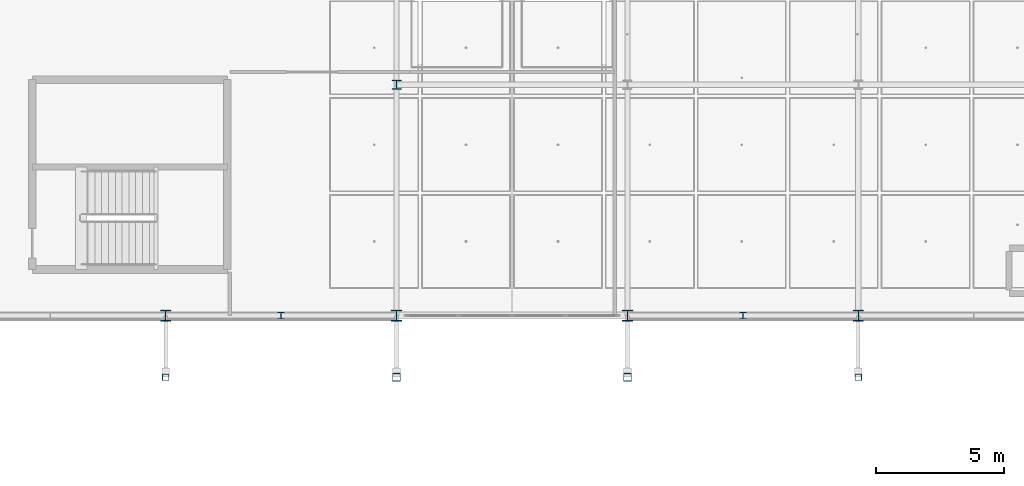
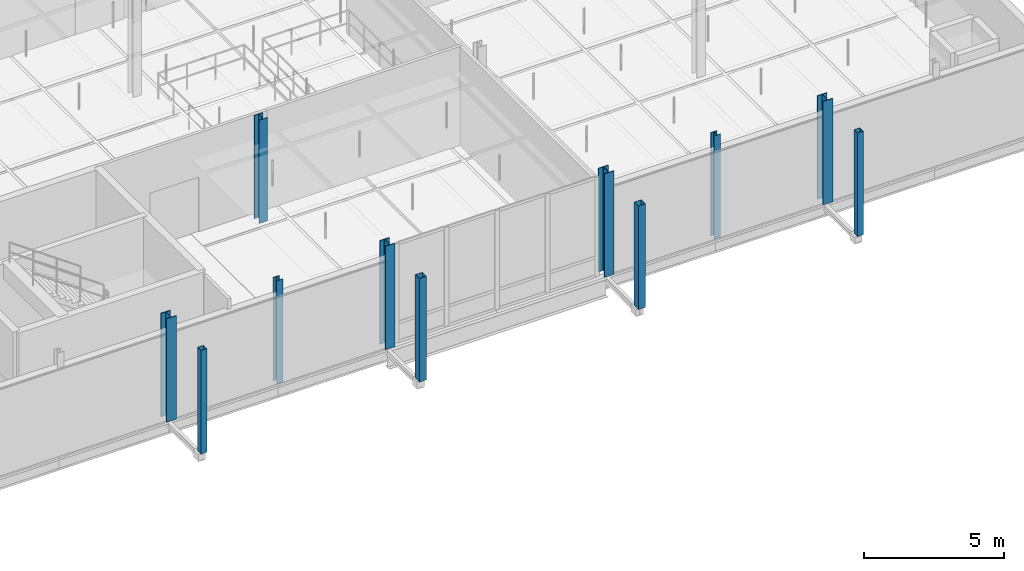
# One storey, part 6 of 130: 11 columns.
"""IFC4 building model written with IfcOpenShell, lengths in metres."""

from ifc_helpers import new_model, si_unit, direction, frame, origin, origin_2d, place, context, subcontext, project, spatial, hollow_rectangle, i_section, extrude, material, material_profile, profile_set, type_object, element, save


model = new_model("IFC4")

# Units and contexts
model_context = context("Model", 3, precision=1e-05, world=origin(), true_north=direction((0.0, 1.0)))
body_context = subcontext(model_context, "Body", "Model", "MODEL_VIEW")
ifc_project = project(units=[si_unit("LENGTHUNIT", "METRE"), si_unit("AREAUNIT", "SQUARE_METRE"), si_unit("VOLUMEUNIT", "CUBIC_METRE"), si_unit("PLANEANGLEUNIT", "RADIAN"), si_unit("MASSUNIT", "GRAM", prefix="KILO"), si_unit("THERMODYNAMICTEMPERATUREUNIT", "KELVIN"), si_unit("POWERUNIT", "WATT")], contexts=[model_context])

# Site, building, storey
site_placement = place(None, origin())
site = spatial("IfcSite", under=ifc_project, at=site_placement, CompositionType="ELEMENT")
building_placement = place(site_placement, origin())
building = spatial("IfcBuilding", under=site, at=building_placement, Name="Tallowbark Science Centre", CompositionType="ELEMENT")
storey_placement = place(building_placement, frame((0.0, 0.0, 5.39990234375)))
storey = spatial("IfcBuildingStorey", under=building, at=storey_placement, Name="L01", CompositionType="ELEMENT", Elevation=5.39990234375)

# Columns
ifc_material_1 = material(Name="White Architectural Painted Steel Grade C350L0 (350 MPa)", Category="steel")
ifc_material_profile_1 = material_profile(ifc_material_1, hollow_rectangle(XDim=0.25, YDim=0.25, WallThickness=0.009033203125, at=origin_2d()), Name="250x250x9.0SHS")
ifc_profile_set_1 = profile_set([ifc_material_profile_1], Name="White Architectural Painted Steel Grade C350L0 (350 MPa)")
column_type_1 = type_object("IfcColumnType", Name="COL-SCR200", PredefinedType="COLUMN", material=ifc_profile_set_1)
for number, where, z_axis, x_axis, name in (
    (1, (67.5, 2.10009765625, 0.0), (0.0, 0.0, 1.0), (1.0, 0.0, 0.0), "Column SCR-S02 L01"),
    (2, (94.5, 2.10009765625, 0.0), (0.0, 0.0, 1.0), (1.0, 0.0, 0.0), "Column SCR-S05 L01"),
):
    element("IfcColumn", number, at=place(storey_placement, frame(where, z_axis=z_axis, x_axis=x_axis)), inside=storey, type_object=column_type_1, Name=name, PredefinedType="COLUMN", context=body_context, shape_type="SweptSolid", body=[
        extrude(hollow_rectangle(XDim=0.25, YDim=0.25, WallThickness=0.009033203125, at=origin_2d()), origin(), (0.0, 0.0, 1.0), 4.5),
    ])
ifc_material_profile_2 = material_profile(ifc_material_1, hollow_rectangle(XDim=0.300048828125, YDim=0.300048828125, WallThickness=0.010009765625, at=origin_2d()), Name="300x300x10.0SHS")
ifc_profile_set_2 = profile_set([ifc_material_profile_2], Name="White Architectural Painted Steel Grade C350L0 (350 MPa)")
column_type_2 = type_object("IfcColumnType", Name="COL-SCR300", PredefinedType="COLUMN", material=ifc_profile_set_2)
for number, where, z_axis, x_axis, name in (
    (3, (76.5, 2.10009765625, 0.0), (0.0, 0.0, 1.0), (1.0, 0.0, 0.0), "Column SCR-S03 L01"),
    (4, (85.5, 2.10009765625, 0.0), (0.0, 0.0, 1.0), (1.0, 0.0, 0.0), "Column SCR-S04 L01"),
):
    element("IfcColumn", number, at=place(storey_placement, frame(where, z_axis=z_axis, x_axis=x_axis)), inside=storey, type_object=column_type_2, Name=name, PredefinedType="COLUMN", context=body_context, shape_type="SweptSolid", body=[
        extrude(hollow_rectangle(XDim=0.300048828125, YDim=0.300048828125, WallThickness=0.010009765625, at=origin_2d()), origin(), (0.0, 0.0, 1.0), 4.5),
    ])
ifc_material_2 = material(Name="Structural Steel Grade 300PLUS (300 MPa)", Category="steel")
ifc_material_profile_3 = material_profile(ifc_material_2, i_section(OverallWidth=0.35009765625, OverallDepth=0.35888671875, WebThickness=0.01611328125, FlangeThickness=0.02392578125, FilletRadius=0.013916015625, at=origin_2d()), Name="350WC197")
ifc_profile_set_3 = profile_set([ifc_material_profile_3], Name="Structural Steel Grade 300PLUS (300 MPa)")
column_type_3 = type_object("IfcColumnType", Name="COL-WC350", PredefinedType="COLUMN", material=ifc_profile_set_3)
column_placement = place(storey_placement, frame((76.5, 13.5, 0.0), z_axis=(0.0, 0.0, 1.0), x_axis=(1.0, 0.0, 0.0)))
element("IfcColumn", 5, at=column_placement, inside=storey, type_object=column_type_3, Name="Column CUB-M2_1 L01", PredefinedType="COLUMN", context=body_context, shape_type="SweptSolid", body=[
    extrude(i_section(OverallWidth=0.35009765625, OverallDepth=0.35888671875, WebThickness=0.01611328125, FlangeThickness=0.02392578125, FilletRadius=0.013916015625, at=origin_2d()), origin(), (0.0, 0.0, 1.0), 4.5),
])
ifc_material_profile_4 = material_profile(ifc_material_2, i_section(OverallWidth=0.39990234375, OverallDepth=0.427978515625, WebThickness=0.02001953125, FlangeThickness=0.028076171875, FilletRadius=0.01611328125, at=origin_2d()), Name="400WC270")
ifc_profile_set_4 = profile_set([ifc_material_profile_4], Name="Structural Steel Grade 300PLUS (300 MPa)")
column_type_4 = type_object("IfcColumnType", Name="COL-WC400", PredefinedType="COLUMN", material=ifc_profile_set_4)
for number, where, z_axis, x_axis, name in (
    (6, (67.5, 4.5, 0.0), (0.0, 0.0, 1.0), (1.0, 0.0, 0.0), "Column CUB-M1_0 L01"),
    (7, (76.5, 4.5, 0.0), (0.0, 0.0, 1.0), (1.0, 0.0, 0.0), "Column CUB-M2_0 L01"),
    (8, (85.5, 4.5, 0.0), (0.0, 0.0, 1.0), (1.0, 0.0, 0.0), "Column CUB-M3_0 L01"),
    (9, (94.5, 4.5, 0.0), (0.0, 0.0, 1.0), (1.0, 0.0, 0.0), "Column CUB-M4_0 L01"),
):
    element("IfcColumn", number, at=place(storey_placement, frame(where, z_axis=z_axis, x_axis=x_axis)), inside=storey, type_object=column_type_4, Name=name, PredefinedType="COLUMN", context=body_context, shape_type="SweptSolid", body=[
        extrude(i_section(OverallWidth=0.39990234375, OverallDepth=0.427978515625, WebThickness=0.02001953125, FlangeThickness=0.028076171875, FilletRadius=0.01611328125, at=origin_2d()), origin(), (0.0, 0.0, 1.0), 4.5),
    ])
ifc_material_profile_5 = material_profile(ifc_material_2, i_section(OverallWidth=0.256103515625, OverallDepth=0.260009765625, WebThickness=0.010498046875, FlangeThickness=0.017333984375, FilletRadius=0.013916015625, at=origin_2d()), Name="250UC89.5")
ifc_profile_set_5 = profile_set([ifc_material_profile_5], Name="Structural Steel Grade 300PLUS (300 MPa)")
column_type_5 = type_object("IfcColumnType", Name="PIL-UC250", PredefinedType="PILASTER", material=ifc_profile_set_5)
for number, where, z_axis, x_axis, name in (
    (10, (72.0, 4.5, 0.0), (0.0, 0.0, 1.0), (1.0, 0.0, 0.0), "Column CUB-PS-1 L01"),
    (11, (90.0, 4.5, 0.0), (0.0, 0.0, 1.0), (1.0, 0.0, 0.0), "Column CUB-PS-3 L01"),
):
    element("IfcColumn", number, at=place(storey_placement, frame(where, z_axis=z_axis, x_axis=x_axis)), inside=storey, type_object=column_type_5, Name=name, PredefinedType="PILASTER", context=body_context, shape_type="SweptSolid", body=[
        extrude(i_section(OverallWidth=0.256103515625, OverallDepth=0.260009765625, WebThickness=0.010498046875, FlangeThickness=0.017333984375, FilletRadius=0.013916015625, at=origin_2d()), origin(), (0.0, 0.0, 1.0), 4.5),
    ])

save(model, "model.ifc")
